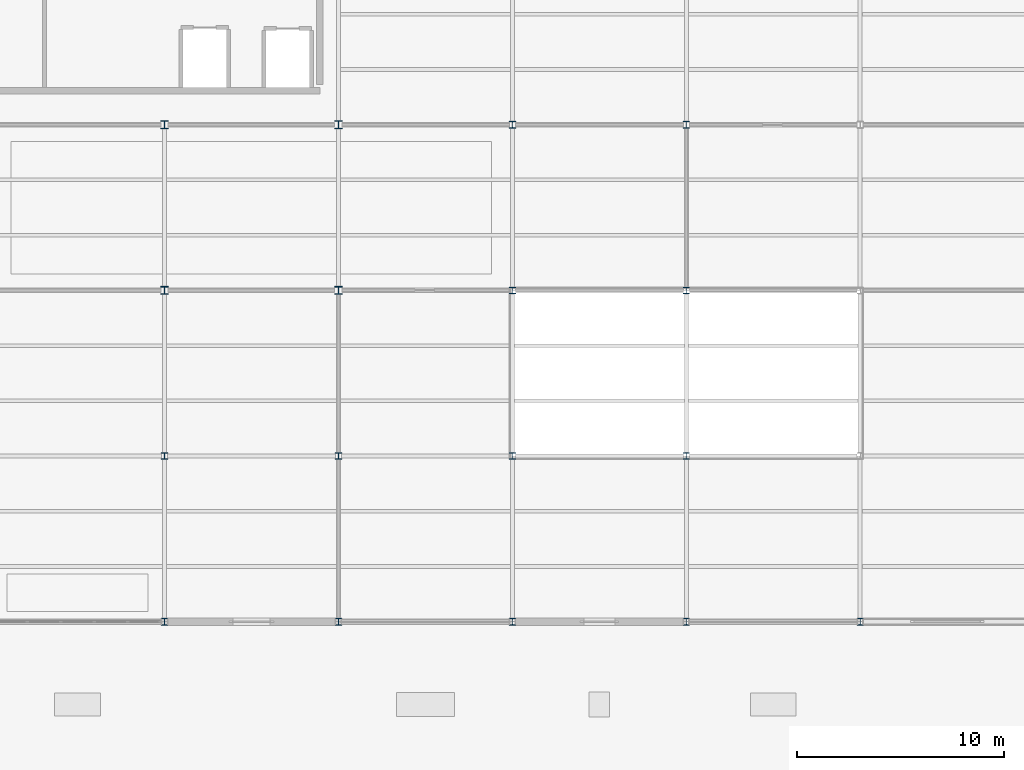
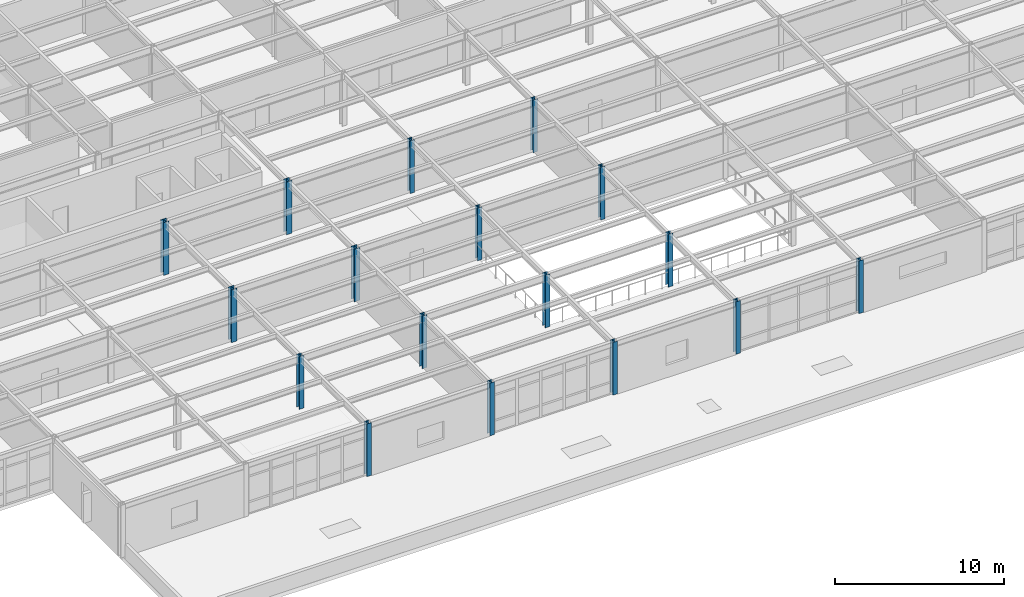
# One storey, part 6 of 138: 17 columns.
"""IFC4 building model written with IfcOpenShell, lengths in metres."""

from ifc_helpers import new_model, si_unit, direction, frame, origin, origin_2d, place, context, subcontext, project, spatial, i_section, extrude, material, material_profile, profile_set, type_object, element, save


model = new_model("IFC4")

# Units and contexts
model_context = context("Model", 3, precision=1e-05, world=origin(), true_north=direction((0.0, 1.0)))
body_context = subcontext(model_context, "Body", "Model", "MODEL_VIEW")
ifc_project = project(units=[si_unit("LENGTHUNIT", "METRE"), si_unit("AREAUNIT", "SQUARE_METRE"), si_unit("VOLUMEUNIT", "CUBIC_METRE"), si_unit("PLANEANGLEUNIT", "RADIAN"), si_unit("MASSUNIT", "GRAM", prefix="KILO")], contexts=[model_context])

# Site, building, storey
site_placement = place(None, origin())
site = spatial("IfcSite", under=ifc_project, at=site_placement, CompositionType="ELEMENT")
building_placement = place(site_placement, origin())
building = spatial("IfcBuilding", under=site, at=building_placement, Name="Kranzveld Transit Interchange", CompositionType="ELEMENT")
storey_placement = place(building_placement, frame((0.0, 0.0, 5.43994140625)))
storey = spatial("IfcBuildingStorey", under=building, at=storey_placement, Name="L01", CompositionType="ELEMENT", Elevation=5.43994140625)

# Columns
ifc_material_1 = material(Name="Steel S355JR", Category="steel")
ifc_material_profile_1 = material_profile(ifc_material_1, i_section(OverallWidth=0.30908203125, OverallDepth=0.320556640625, WebThickness=0.013916015625, FlangeThickness=0.021728515625, FilletRadius=0.01513671875, at=origin_2d()), Name="UC 305x305x137")
ifc_profile_set_1 = profile_set([ifc_material_profile_1], Name="Steel S355JR")
column_type_1 = type_object("IfcColumnType", Name="Column Steel UC 305x305x137 S355JR", PredefinedType="COLUMN", material=ifc_profile_set_1)
for number, where, z_axis, x_axis, name in (
    (1, (67.199951171875, 8.0, 0.0), (0.0, 0.0, 1.0), (1.0, 0.0, 0.0), "L01 Column 09/B"),
    (2, (67.199951171875, 16.0, 0.0), (0.0, 0.0, 1.0), (1.0, 0.0, 0.0), "L01 Column 09/C"),
    (3, (75.60009765625, 8.0, 0.0), (0.0, 0.0, 1.0), (1.0, 0.0, 0.0), "L01 Column 10/B"),
    (4, (75.60009765625, 16.0, 0.0), (0.0, 0.0, 1.0), (1.0, 0.0, 0.0), "L01 Column 10/C"),
    (5, (84.0, 8.0, 0.0), (0.0, 0.0, 1.0), (1.0, 0.0, 0.0), "L01 Column 11/B"),
    (6, (84.0, 16.0, 0.0), (0.0, 0.0, 1.0), (1.0, 0.0, 0.0), "L01 Column 11/C"),
    (7, (84.0, 24.0, 0.0), (0.0, 0.0, 1.0), (1.0, 0.0, 0.0), "L01 Column 11/D"),
    (8, (84.0, 32.0, 0.0), (0.0, 0.0, 1.0), (1.0, 0.0, 0.0), "L01 Column 11/E"),
    (9, (92.39990234375, 8.0, 0.0), (0.0, 0.0, 1.0), (1.0, 0.0, 0.0), "L01 Column 12/B"),
    (10, (92.39990234375, 16.0, 0.0), (0.0, 0.0, 1.0), (1.0, 0.0, 0.0), "L01 Column 12/C"),
    (11, (92.39990234375, 24.0, 0.0), (0.0, 0.0, 1.0), (1.0, 0.0, 0.0), "L01 Column 12/D"),
    (12, (92.39990234375, 32.0, 0.0), (0.0, 0.0, 1.0), (1.0, 0.0, 0.0), "L01 Column 12/E"),
    (13, (100.800048828125, 8.0, 0.0), (0.0, 0.0, 1.0), (1.0, 0.0, 0.0), "L01 Column 13/B"),
):
    element("IfcColumn", number, at=place(storey_placement, frame(where, z_axis=z_axis, x_axis=x_axis)), inside=storey, type_object=column_type_1, Name=name, PredefinedType="COLUMN", context=body_context, shape_type="SweptSolid", body=[
        extrude(i_section(OverallWidth=0.30908203125, OverallDepth=0.320556640625, WebThickness=0.013916015625, FlangeThickness=0.021728515625, FilletRadius=0.01513671875, at=origin_2d()), origin(), (0.0, 0.0, 1.0), 3.800048828125),
    ])
ifc_material_2 = material(Name="Steel S355JR", Category="steel")
ifc_material_profile_2 = material_profile(ifc_material_2, i_section(OverallWidth=0.374755859375, OverallDepth=0.37451171875, WebThickness=0.0166015625, FlangeThickness=0.027099609375, FilletRadius=0.01513671875, at=origin_2d()), Name="UC 356x368x202")
ifc_profile_set_2 = profile_set([ifc_material_profile_2], Name="Steel S355JR")
column_type_2 = type_object("IfcColumnType", Name="Column Steel UC 356x368x202 S355JR", PredefinedType="COLUMN", material=ifc_profile_set_2)
for number, where, z_axis, x_axis, name in (
    (14, (67.199951171875, 24.0, 0.0), (0.0, 0.0, 1.0), (1.0, 0.0, 0.0), "L01 Column 09/D"),
    (15, (67.199951171875, 32.0, 0.0), (0.0, 0.0, 1.0), (1.0, 0.0, 0.0), "L01 Column 09/E"),
    (16, (75.60009765625, 24.0, 0.0), (0.0, 0.0, 1.0), (1.0, 0.0, 0.0), "L01 Column 10/D"),
    (17, (75.60009765625, 32.0, 0.0), (0.0, 0.0, 1.0), (1.0, 0.0, 0.0), "L01 Column 10/E"),
):
    element("IfcColumn", number, at=place(storey_placement, frame(where, z_axis=z_axis, x_axis=x_axis)), inside=storey, type_object=column_type_2, Name=name, PredefinedType="COLUMN", context=body_context, shape_type="SweptSolid", body=[
        extrude(i_section(OverallWidth=0.374755859375, OverallDepth=0.37451171875, WebThickness=0.0166015625, FlangeThickness=0.027099609375, FilletRadius=0.01513671875, at=origin_2d()), origin(), (0.0, 0.0, 1.0), 3.800048828125),
    ])

save(model, "model.ifc")
